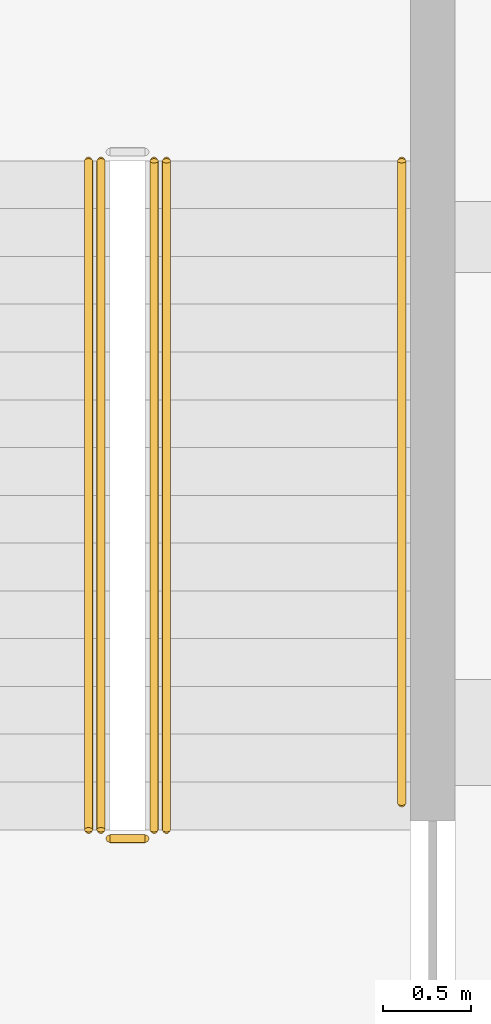
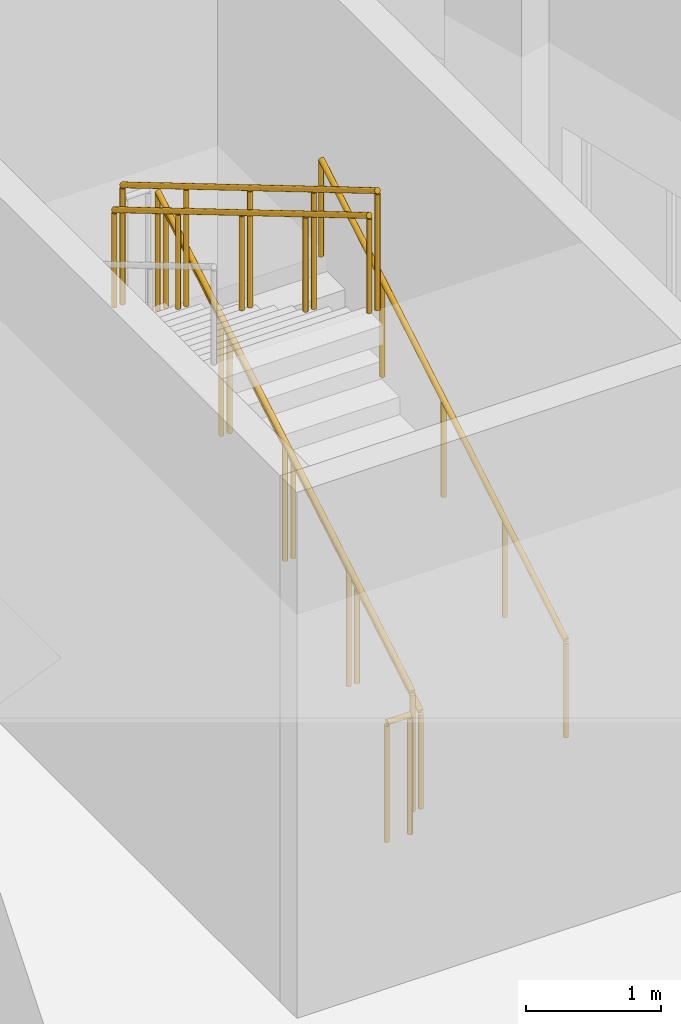
# One storey, part 73 of 79: 6 railings.
"""IFC4 building model written with IfcOpenShell, lengths in metres."""

from ifc_helpers import new_model, si_unit, direction, frame, origin, origin_2d, place, context, subcontext, project, spatial, circle, extrude, material, type_object, element, save


model = new_model("IFC4")

# Units and contexts
model_context = context("Model", 3, precision=1e-05, world=origin(), true_north=direction((0.0, 1.0)))
body_context = subcontext(model_context, "Body", "Model", "MODEL_VIEW")
ifc_project = project(units=[si_unit("LENGTHUNIT", "METRE"), si_unit("AREAUNIT", "SQUARE_METRE"), si_unit("VOLUMEUNIT", "CUBIC_METRE"), si_unit("PLANEANGLEUNIT", "RADIAN"), si_unit("MASSUNIT", "GRAM", prefix="KILO")], contexts=[model_context])

# Site, building, storey
site_placement = place(None, origin())
site = spatial("IfcSite", under=ifc_project, at=site_placement, CompositionType="ELEMENT")
building_placement = place(site_placement, origin())
building = spatial("IfcBuilding", under=site, at=building_placement, Name="Larchfold Concert Hall", CompositionType="ELEMENT")
storey_placement = place(building_placement, frame((0.0, 0.0, 14.39990234375)))
storey = spatial("IfcBuildingStorey", under=building, at=storey_placement, Name="L03", CompositionType="ELEMENT", Elevation=14.39990234375)

# Railings
ifc_material_1 = material(Name="Stainless steel balustrade", Category="steel")
railing_type_1 = type_object("IfcRailingType", Name="Stair guard 1100", PredefinedType="GUARDRAIL", material=ifc_material_1)
railing_1_placement = place(storey_placement, frame((62.050048828125, 92.449951171875, 0.16015625)))
element("IfcRailing", 1, at=railing_1_placement, inside=storey, type_object=railing_type_1, Name="Guard GR0001", PredefinedType="GUARDRAIL", context=body_context, shape_type="SweptSolid", body=[
    extrude(circle(Radius=0.02392578125, at=origin_2d()), frame((0.0, 0.0, 1.076171875), z_axis=(0.0, 0.860294241299, 0.509797821089), x_axis=(-1.0, 0.0, 0.0)), (0.0, 0.0, 1.0), 4.393798828125),
    extrude(circle(Radius=0.02099609375, at=origin_2d()), origin(), (0.0, 0.0, 1.0), 1.052001953125),
    extrude(circle(Radius=0.02099609375, at=origin_2d()), frame((0.0, 0.945068359375, 0.56005859375)), (0.0, 0.0, 1.0), 1.052001953125),
    extrude(circle(Radius=0.02099609375, at=origin_2d()), frame((0.0, 1.89013671875, 1.1201171875)), (0.0, 0.0, 1.0), 1.052001953125),
    extrude(circle(Radius=0.02099609375, at=origin_2d()), frame((0.0, 2.8349609375, 1.679931640625)), (0.0, 0.0, 1.0), 1.052001953125),
    extrude(circle(Radius=0.02099609375, at=origin_2d()), frame((0.0, 3.780029296875, 2.239990234375)), (0.0, 0.0, 1.0), 1.052001953125),
])
railing_2_placement = place(storey_placement, frame((61.75, 96.22998046875, 2.56005859375)))
element("IfcRailing", 2, at=railing_2_placement, inside=storey, type_object=railing_type_1, Name="Guard GR0005", PredefinedType="GUARDRAIL", context=body_context, shape_type="SweptSolid", body=[
    extrude(circle(Radius=0.02392578125, at=origin_2d()), frame((0.0, 0.0, 1.076171875), z_axis=(0.0, -0.860294241299, 0.509797821089), x_axis=(1.0, 0.0, 0.0)), (0.0, 0.0, 1.0), 4.393798828125),
    extrude(circle(Radius=0.02099609375, at=origin_2d()), origin(), (0.0, 0.0, 1.0), 1.052001953125),
    extrude(circle(Radius=0.02099609375, at=origin_2d()), frame((0.0, -0.945068359375, 0.56005859375)), (0.0, 0.0, 1.0), 1.052001953125),
    extrude(circle(Radius=0.02099609375, at=origin_2d()), frame((0.0, -1.89013671875, 1.1201171875)), (0.0, 0.0, 1.0), 1.052001953125),
    extrude(circle(Radius=0.02099609375, at=origin_2d()), frame((0.0, -2.8349609375, 1.679931640625)), (0.0, 0.0, 1.0), 1.052001953125),
    extrude(circle(Radius=0.02099609375, at=origin_2d()), frame((0.0, -3.780029296875, 2.239990234375)), (0.0, 0.0, 1.0), 1.052001953125),
])
railing_3_placement = place(storey_placement, frame((62.0, 92.39990234375, 0.0)))
element("IfcRailing", 3, at=railing_3_placement, inside=storey, type_object=railing_type_1, Name="Guard GR0006", PredefinedType="GUARDRAIL", context=body_context, shape_type="SweptSolid", body=[
    extrude(circle(Radius=0.02392578125, at=origin_2d()), frame((0.0, 0.0, 1.076171875), z_axis=(-1.0, 0.0, 0.0), x_axis=(0.0, -1.0, 0.0)), (0.0, 0.0, 1.0), 0.199951171875),
    extrude(circle(Radius=0.02099609375, at=origin_2d()), origin(), (0.0, 0.0, 1.0), 1.052001953125),
    extrude(circle(Radius=0.02099609375, at=origin_2d()), frame((-0.199951171875, 0.0, 0.0)), (0.0, 0.0, 1.0), 1.052001953125),
])
ifc_material_2 = material(Name="Stainless steel handrail", Category="steel")
railing_type_2 = type_object("IfcRailingType", Name="Stair handrail 900", PredefinedType="HANDRAIL", material=ifc_material_2)
railing_4_placement = place(storey_placement, frame((63.449951171875, 92.60009765625, 0.2490234375)))
element("IfcRailing", 4, at=railing_4_placement, inside=storey, type_object=railing_type_2, Name="Handrail HR0001", PredefinedType="HANDRAIL", context=body_context, shape_type="SweptSolid", body=[
    extrude(circle(Radius=0.02392578125, at=origin_2d()), frame((0.0, 0.0, 0.8759765625), z_axis=(0.0, 0.860283074592, 0.509816664665), x_axis=(-1.0, 0.0, 0.0)), (0.0, 0.0, 1.0), 4.219482421875),
    extrude(circle(Radius=0.02099609375, at=origin_2d()), origin(), (0.0, 0.0, 1.0), 0.851806640625),
    extrude(circle(Radius=0.02099609375, at=origin_2d()), frame((0.0, 0.907470703125, 0.537841796875)), (0.0, 0.0, 1.0), 0.851806640625),
    extrude(circle(Radius=0.02099609375, at=origin_2d()), frame((0.0, 1.81494140625, 1.07568359375)), (0.0, 0.0, 1.0), 0.851806640625),
    extrude(circle(Radius=0.02099609375, at=origin_2d()), frame((0.0, 2.722412109375, 1.61328125)), (0.0, 0.0, 1.0), 0.851806640625),
    extrude(circle(Radius=0.02099609375, at=origin_2d()), frame((0.0, 3.6298828125, 2.151123046875)), (0.0, 0.0, 1.0), 0.851806640625),
])
railing_5_placement = place(storey_placement, frame((62.1201171875, 92.449951171875, 0.16015625)))
element("IfcRailing", 5, at=railing_5_placement, inside=storey, type_object=railing_type_2, Name="Handrail HR0003", PredefinedType="HANDRAIL", context=body_context, shape_type="SweptSolid", body=[
    extrude(circle(Radius=0.02392578125, at=origin_2d()), frame((0.0, 0.0, 0.8759765625), z_axis=(0.0, 0.860294241299, 0.509797821089), x_axis=(-1.0, 0.0, 0.0)), (0.0, 0.0, 1.0), 4.393798828125),
    extrude(circle(Radius=0.02099609375, at=origin_2d()), origin(), (0.0, 0.0, 1.0), 0.851806640625),
    extrude(circle(Radius=0.02099609375, at=origin_2d()), frame((0.0, 0.945068359375, 0.56005859375)), (0.0, 0.0, 1.0), 0.851806640625),
    extrude(circle(Radius=0.02099609375, at=origin_2d()), frame((0.0, 1.89013671875, 1.1201171875)), (0.0, 0.0, 1.0), 0.851806640625),
    extrude(circle(Radius=0.02099609375, at=origin_2d()), frame((0.0, 2.8349609375, 1.679931640625)), (0.0, 0.0, 1.0), 0.851806640625),
    extrude(circle(Radius=0.02099609375, at=origin_2d()), frame((0.0, 3.780029296875, 2.239990234375)), (0.0, 0.0, 1.0), 0.851806640625),
])
railing_6_placement = place(storey_placement, frame((61.679931640625, 96.22998046875, 2.56005859375)))
element("IfcRailing", 6, at=railing_6_placement, inside=storey, type_object=railing_type_2, Name="Handrail HR0004", PredefinedType="HANDRAIL", context=body_context, shape_type="SweptSolid", body=[
    extrude(circle(Radius=0.02392578125, at=origin_2d()), frame((0.0, 0.0, 0.8759765625), z_axis=(0.0, -0.860294241299, 0.509797821089), x_axis=(1.0, 0.0, 0.0)), (0.0, 0.0, 1.0), 4.393798828125),
    extrude(circle(Radius=0.02099609375, at=origin_2d()), origin(), (0.0, 0.0, 1.0), 0.851806640625),
    extrude(circle(Radius=0.02099609375, at=origin_2d()), frame((0.0, -0.945068359375, 0.56005859375)), (0.0, 0.0, 1.0), 0.851806640625),
    extrude(circle(Radius=0.02099609375, at=origin_2d()), frame((0.0, -1.89013671875, 1.1201171875)), (0.0, 0.0, 1.0), 0.851806640625),
    extrude(circle(Radius=0.02099609375, at=origin_2d()), frame((0.0, -2.8349609375, 1.679931640625)), (0.0, 0.0, 1.0), 0.851806640625),
    extrude(circle(Radius=0.02099609375, at=origin_2d()), frame((0.0, -3.780029296875, 2.239990234375)), (0.0, 0.0, 1.0), 0.851806640625),
])

save(model, "model.ifc")
